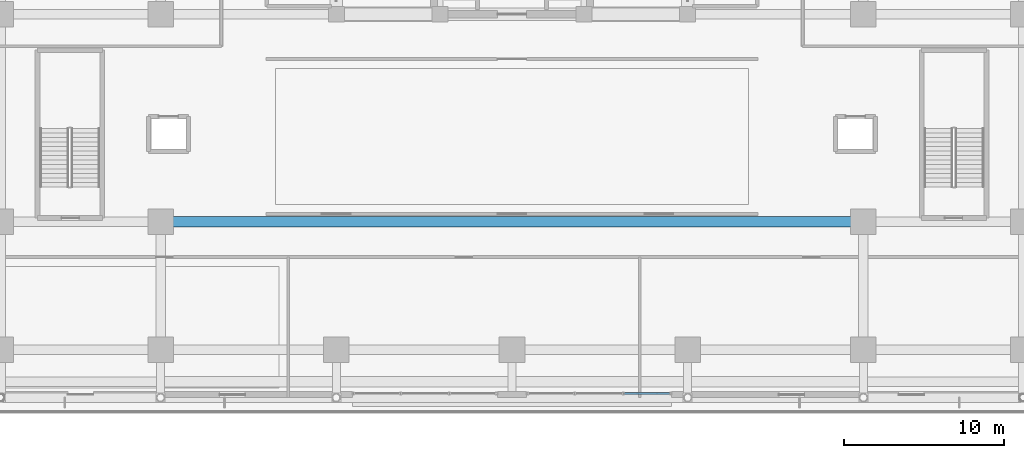
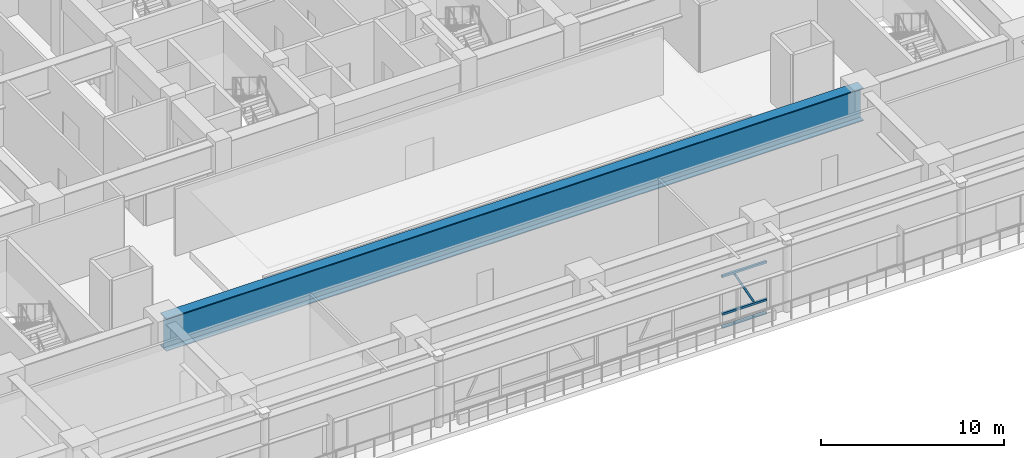
# One storey, part 15 of 38: 4 members, 1 beam, 1 element without a shape of its own.
"""IFC4 building model written with IfcOpenShell, lengths in metres."""

from ifc_helpers import new_model, si_unit, direction, frame, origin, origin_2d, place, context, subcontext, project, spatial, hollow_rectangle, i_section, extrude, source, transform, mapped, material, material_profile, profile_set, type_object, element, aggregate, save


model = new_model("IFC4")

# Units and contexts
model_context = context("Model", 3, precision=1e-05, world=origin(), true_north=direction((0.0, 1.0)))
body_context = subcontext(model_context, "Body", "Model", "MODEL_VIEW")
ifc_project = project(units=[si_unit("LENGTHUNIT", "METRE"), si_unit("AREAUNIT", "SQUARE_METRE"), si_unit("VOLUMEUNIT", "CUBIC_METRE"), si_unit("PLANEANGLEUNIT", "RADIAN"), si_unit("MASSUNIT", "GRAM", prefix="KILO")], contexts=[model_context])

# Site, building, storey
site_placement = place(None, origin())
site = spatial("IfcSite", under=ifc_project, at=site_placement, CompositionType="ELEMENT")
building_placement = place(site_placement, origin())
building = spatial("IfcBuilding", under=site, at=building_placement, Name="Khorayat Bourse Tower", CompositionType="ELEMENT")
storey_placement = place(building_placement, frame((0.0, 0.0, 17.39990234375)))
storey = spatial("IfcBuildingStorey", under=building, at=storey_placement, Name="L03", CompositionType="ELEMENT", Elevation=17.39990234375)

# Beam
ifc_material_1 = material(Name="Steel EN 10025-4 S460M", Category="steel")
ifc_material_profile_1 = material_profile(ifc_material_1, i_section(OverallWidth=0.64990234375, OverallDepth=2.199951171875, WebThickness=0.035888671875, FlangeThickness=0.06494140625, at=origin_2d()), Name="PG 2200x650x36x65")
ifc_profile_set_1 = profile_set([ifc_material_profile_1], Name="Steel EN 10025-4 S460M")
beam_type = type_object("IfcBeamType", Name="BM-TR-2200", PredefinedType="BEAM", material=ifc_profile_set_1)
shared_shape_1 = source(origin(), body_context, "Body", "SweptSolid", [
    extrude(i_section(OverallWidth=0.64990234375, OverallDepth=2.199951171875, WebThickness=0.035888671875, FlangeThickness=0.06494140625, at=origin_2d()), origin(), (0.0, 0.0, 1.0), 44.0),
])
beam_placement = place(storey_placement, frame((-22.0, -24.0, 3.380126953125), z_axis=(1.0, 0.0, 0.0), x_axis=(0.0, 1.0, 0.0)))
element("IfcBeam", 1, at=beam_placement, inside=storey, type_object=beam_type, Name="L03 BM-TR-2200 BM-L03-PGX-046", PredefinedType="BEAM", context=body_context, shape_type="MappedRepresentation", body=[
    mapped(shared_shape_1, transform((0.0, 0.0, 0.0), scale=1.0)),
])

# Curtain wall, members
ifc_material_2 = material(Name="Aluminium EN AW-6063 T6", Category="aluminium")
curtain_wall_type = type_object("IfcCurtainWallType", Name="CW-SYS-01", PredefinedType="NOTDEFINED", material=ifc_material_2)
curtain_wall_placement = place(storey_placement, origin())
curtain_wall = element("IfcCurtainWall", 2, at=curtain_wall_placement, inside=storey, type_object=curtain_wall_type, Name="L03 Curtain Wall CW-L03-SE", PredefinedType="NOTDEFINED")
ifc_material_profile_2 = material_profile(ifc_material_2, hollow_rectangle(XDim=0.139892578125, YDim=0.139892578125, WallThickness=0.006103515625, at=origin_2d()), Name="ALU 140x140x6")
ifc_profile_set_2 = profile_set([ifc_material_profile_2], Name="Aluminium EN AW-6063 T6")
member_type_1 = type_object("IfcMemberType", Name="CWT-HORZ-140", PredefinedType="USERDEFINED", material=ifc_profile_set_2)
shared_shape_2 = source(origin(), body_context, "Body", "SweptSolid", [
    extrude(hollow_rectangle(XDim=0.139892578125, YDim=0.139892578125, WallThickness=0.006103515625, at=origin_2d()), origin(), (0.0, 0.0, 1.0), 2.823486328125),
])
member_1_placement = place(storey_placement, frame((7.03662109375, -34.742919921875, 0.070068359375), z_axis=(1.0, 0.0, 0.0), x_axis=(0.0, 1.0, 0.0)))
member_1 = element("IfcMember", 3, at=member_1_placement, type_object=member_type_1, Name="CW-L03-SE Horizontal Transom 3-1", ObjectType="TRANSOM", PredefinedType="USERDEFINED", context=body_context, shape_type="MappedRepresentation", body=[
    mapped(shared_shape_2, transform((0.0, 0.0, 0.0), scale=1.0)),
])
member_2_placement = place(storey_placement, frame((7.03662109375, -34.742919921875, 0.9501953125), z_axis=(1.0, 0.0, 0.0), x_axis=(0.0, 1.0, 0.0)))
member_2 = element("IfcMember", 4, at=member_2_placement, type_object=member_type_1, Name="CW-L03-SE Horizontal Transom 3-2", ObjectType="TRANSOM", PredefinedType="USERDEFINED", context=body_context, shape_type="MappedRepresentation", body=[
    mapped(shared_shape_2, transform((0.0, 0.0, 0.0), scale=1.0)),
])
member_3_placement = place(storey_placement, frame((7.03662109375, -34.742919921875, 3.460205078125), z_axis=(1.0, 0.0, 0.0), x_axis=(0.0, 1.0, 0.0)))
member_3 = element("IfcMember", 5, at=member_3_placement, type_object=member_type_1, Name="CW-L03-SE Horizontal Transom 3-3", ObjectType="TRANSOM", PredefinedType="USERDEFINED", context=body_context, shape_type="MappedRepresentation", body=[
    mapped(shared_shape_2, transform((0.0, 0.0, 0.0), scale=1.0)),
])
ifc_material_profile_3 = material_profile(ifc_material_2, hollow_rectangle(XDim=0.1201171875, YDim=0.1201171875, WallThickness=0.0048828125, at=origin_2d()), Name="ALU 120x120x5")
ifc_profile_set_3 = profile_set([ifc_material_profile_3], Name="Aluminium EN AW-6063 T6")
member_type_2 = type_object("IfcMemberType", Name="CWM-DIAG-120", PredefinedType="MULLION", material=ifc_profile_set_3)
shared_shape_3 = source(origin(), body_context, "Body", "SweptSolid", [
    extrude(hollow_rectangle(XDim=0.1201171875, YDim=0.1201171875, WallThickness=0.0048828125, at=origin_2d()), origin(), (0.0, 0.0, 1.0), 2.49755859375),
])
member_4_placement = place(storey_placement, frame((9.030029296875, -34.742919921875, 1.10009765625), z_axis=(-0.465806866522, 0.0, 0.884886412542), x_axis=(0.0, -1.0, 0.0)))
member_4 = element("IfcMember", 6, at=member_4_placement, type_object=member_type_2, Name="CW-L03-SE Faceted Diagonal Mullion 3", PredefinedType="MULLION", context=body_context, shape_type="MappedRepresentation", body=[
    mapped(shared_shape_3, transform((0.0, 0.0, 0.0), scale=1.0)),
])
aggregate(curtain_wall, [member_1, member_2, member_3, member_4])

save(model, "model.ifc")
